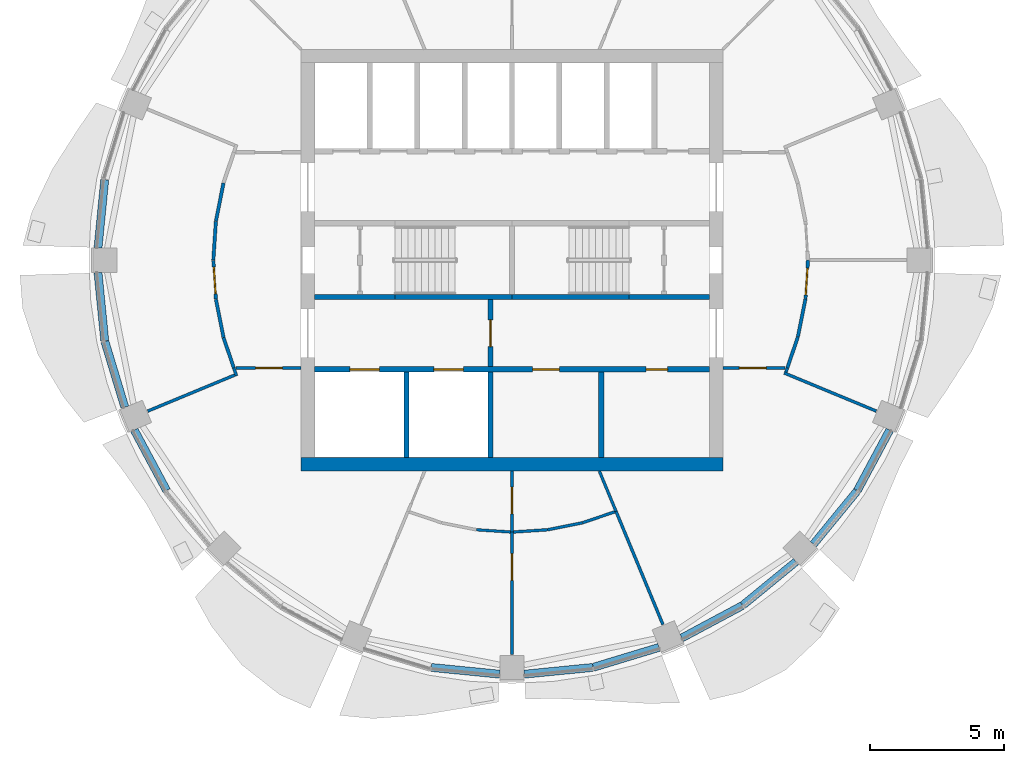
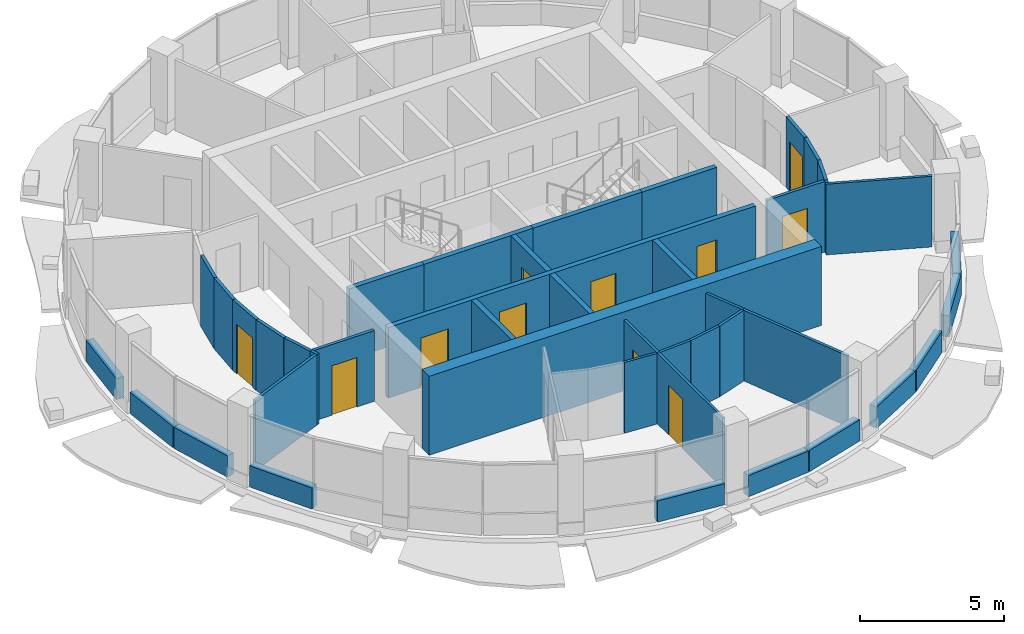
# One storey, part 7 of 14: 43 walls, 11 doors, 11 openings.
"""IFC4 building model written with IfcOpenShell, lengths in metres."""

from ifc_helpers import new_model, si_unit, direction, frame, frame_2d, origin, place, context, subcontext, project, spatial, rectangle, extrude, material, layer, layer_set, type_object, element, fill, save


model = new_model("IFC4")

# Units and contexts
model_context = context("Model", 3, precision=1e-05, world=origin(), true_north=direction((0.0, 1.0)))
body_context = subcontext(model_context, "Body", "Model", "MODEL_VIEW")
ifc_project = project(units=[si_unit("LENGTHUNIT", "METRE"), si_unit("AREAUNIT", "SQUARE_METRE"), si_unit("VOLUMEUNIT", "CUBIC_METRE"), si_unit("PLANEANGLEUNIT", "RADIAN"), si_unit("MASSUNIT", "GRAM", prefix="KILO")], contexts=[model_context])

# Site, building, storey
site_placement = place(None, origin())
site = spatial("IfcSite", under=ifc_project, at=site_placement, CompositionType="ELEMENT")
building_placement = place(site_placement, origin())
building = spatial("IfcBuilding", under=site, at=building_placement, Name="Polderwave Tower", CompositionType="ELEMENT")
storey_placement = place(building_placement, frame((0.0, 0.0, 217.800048828125)))
storey = spatial("IfcBuildingStorey", under=building, at=storey_placement, Name="L59", CompositionType="ELEMENT", Elevation=217.800048828125)

# Walls
ifc_material_1 = material(Name="Concrete C60/75", Category="concrete")
ifc_layer_1 = layer(ifc_material_1, 0.5)
ifc_layer_set_1 = layer_set([ifc_layer_1], Name="CORE WALL 500 C60/75")
wall_type_1 = type_object("IfcWallType", Name="CORE WALL 500 C60/75", PredefinedType="SHEAR", material=ifc_layer_set_1)
wall_1_placement = place(storey_placement, frame((-7.8740234375, -7.6240234375, 0.0), z_axis=(0.0, 0.0, 1.0), x_axis=(1.0, 0.0, 0.0)))
element("IfcWall", 1, at=wall_1_placement, inside=storey, type_object=wall_type_1, Name="ST-CORE-L59-S", PredefinedType="SHEAR", context=body_context, shape_type="SweptSolid", body=[
    extrude(rectangle(XDim=15.748046875, YDim=0.5, at=frame_2d((7.8740234375, 0.0))), origin(), (0.0, 0.0, 1.0), 3.349853515625),
])
ifc_material_2 = material(Name="Concrete C50/60 (board-marked)", Category="concrete")
ifc_layer_2 = layer(ifc_material_2, 0.300048828125)
ifc_layer_set_2 = layer_set([ifc_layer_2], Name="Concrete spandrel upstand C50/60")
wall_type_2 = type_object("IfcWallType", Name="Concrete spandrel upstand C50/60", PredefinedType="SOLIDWALL", material=ifc_layer_set_2)
for number, where, z_axis, x_axis, name in (
    (2, (-15.20361328125, 3.009033203125, 0.0), (0.0, 0.0, 1.0), (-0.09813315545, -0.995173293352, 0.0), "Spandrel L59 8b"),
    (3, (-15.45458984375, -0.4638671875, 0.0), (0.0, 0.0, 1.0), (0.09813315545, -0.995173293352, 0.0), "Spandrel L59 9a"),
):
    element("IfcWall", number, at=place(storey_placement, frame(where, z_axis=z_axis, x_axis=x_axis)), inside=storey, type_object=wall_type_2, Name=name, PredefinedType="SOLIDWALL", context=body_context, shape_type="SweptSolid", body=[
        extrude(rectangle(XDim=2.5576171875, YDim=0.300048828125, at=frame_2d((1.27880859375, 0.0))), origin(), (0.0, 0.0, 1.0), 0.89990234375),
    ])
wall_2_placement = place(storey_placement, frame((-15.197509765625, -3.038330078125, 0.0), z_axis=(0.0, 0.0, 1.0), x_axis=(0.290219358397, -0.956960147557, 0.0)))
element("IfcWall", 4, at=wall_2_placement, inside=storey, type_object=wall_type_2, Name="Spandrel L59 9b", PredefinedType="SOLIDWALL", context=body_context, shape_type="SweptSolid", body=[
    extrude(rectangle(XDim=2.557373046875, YDim=0.300048828125, at=frame_2d((1.27880859375, 0.0))), origin(), (0.0, 0.0, 1.0), 0.89990234375),
])
wall_3_placement = place(storey_placement, frame((-14.099853515625, -6.34326171875, 0.0), z_axis=(0.0, 0.0, 1.0), x_axis=(0.471603904468, -0.881810499649, 0.0)))
element("IfcWall", 5, at=wall_3_placement, inside=storey, type_object=wall_type_2, Name="Spandrel L59 10a", PredefinedType="SOLIDWALL", context=body_context, shape_type="SweptSolid", body=[
    extrude(rectangle(XDim=2.556884765625, YDim=0.300048828125, at=frame_2d((1.2783203125, 0.0))), origin(), (0.0, 0.0, 1.0), 0.89990234375),
])
for number, where, z_axis, x_axis, name in (
    (6, (-3.009033203125, -15.20361328125, 0.0), (0.0, 0.0, 1.0), (0.995173293352, -0.09813315545, 0.0), "Spandrel L59 12b"),
    (7, (0.4638671875, -15.45458984375, 0.0), (0.0, 0.0, 1.0), (0.995173293352, 0.09813315545, 0.0), "Spandrel L59 13a"),
):
    element("IfcWall", number, at=place(storey_placement, frame(where, z_axis=z_axis, x_axis=x_axis)), inside=storey, type_object=wall_type_2, Name=name, PredefinedType="SOLIDWALL", context=body_context, shape_type="SweptSolid", body=[
        extrude(rectangle(XDim=2.5576171875, YDim=0.300048828125, at=frame_2d((1.27880859375, 0.0))), origin(), (0.0, 0.0, 1.0), 0.89990234375),
    ])
wall_4_placement = place(storey_placement, frame((3.038330078125, -15.197509765625, 0.0), z_axis=(0.0, 0.0, 1.0), x_axis=(0.956960147557, 0.290219358397, 0.0)))
element("IfcWall", 8, at=wall_4_placement, inside=storey, type_object=wall_type_2, Name="Spandrel L59 13b", PredefinedType="SOLIDWALL", context=body_context, shape_type="SweptSolid", body=[
    extrude(rectangle(XDim=2.557373046875, YDim=0.300048828125, at=frame_2d((1.27880859375, 0.0))), origin(), (0.0, 0.0, 1.0), 0.89990234375),
])
wall_5_placement = place(storey_placement, frame((6.34326171875, -14.099853515625, 0.0), z_axis=(0.0, 0.0, 1.0), x_axis=(0.881810499649, 0.471603904468, 0.0)))
element("IfcWall", 9, at=wall_5_placement, inside=storey, type_object=wall_type_2, Name="Spandrel L59 14a", PredefinedType="SOLIDWALL", context=body_context, shape_type="SweptSolid", body=[
    extrude(rectangle(XDim=2.556884765625, YDim=0.300048828125, at=frame_2d((1.2783203125, 0.0))), origin(), (0.0, 0.0, 1.0), 0.89990234375),
])
for number, where, z_axis, x_axis, name in (
    (10, (8.62255859375, -12.87744140625, 0.0), (0.0, 0.0, 1.0), (0.773259366149, 0.634089861662, 0.0), "Spandrel L59 14b"),
    (11, (11.255615234375, -10.600341796875, 0.0), (0.0, 0.0, 1.0), (0.634089861662, 0.773259366149, 0.0), "Spandrel L59 15a"),
):
    element("IfcWall", number, at=place(storey_placement, frame(where, z_axis=z_axis, x_axis=x_axis)), inside=storey, type_object=wall_type_2, Name=name, PredefinedType="SOLIDWALL", context=body_context, shape_type="SweptSolid", body=[
        extrude(rectangle(XDim=2.5576171875, YDim=0.300048828125, at=frame_2d((1.27880859375, 0.0))), origin(), (0.0, 0.0, 1.0), 0.89990234375),
    ])
wall_6_placement = place(storey_placement, frame((12.89404296875, -8.597900390625, 0.0), z_axis=(0.0, 0.0, 1.0), x_axis=(0.471603904468, 0.881810499649, 0.0)))
element("IfcWall", 12, at=wall_6_placement, inside=storey, type_object=wall_type_2, Name="Spandrel L59 15b", PredefinedType="SOLIDWALL", context=body_context, shape_type="SweptSolid", body=[
    extrude(rectangle(XDim=2.556884765625, YDim=0.300048828125, at=frame_2d((1.2783203125, 0.0))), origin(), (0.0, 0.0, 1.0), 0.89990234375),
])

# Wall, opening, door
ifc_material_3 = material(Name="Gypsum board partition")
ifc_layer_3 = layer(ifc_material_3, 0.199951171875)
ifc_layer_set_3 = layer_set([ifc_layer_3], Name="Core room partition 200")
wall_type_3 = type_object("IfcWallType", Name="Core room partition 200", PredefinedType="PARTITIONING", material=ifc_layer_set_3)
wall_7_placement = place(storey_placement, frame((-0.800048828125, -3.97412109375, 0.0), z_axis=(0.0, 0.0, 1.0), x_axis=(0.0, 1.0, 0.0)))
wall_7 = element("IfcWall", 13, at=wall_7_placement, inside=storey, type_object=wall_type_3, Name="L59 fire-fighting lobby wall", PredefinedType="PARTITIONING", context=body_context, shape_type="SweptSolid", body=[
    extrude(rectangle(XDim=2.4990234375, YDim=0.199951171875, at=frame_2d((1.24951171875, 0.0))), origin(), (0.0, 0.0, 1.0), 3.0),
])
opening_1_placement = place(wall_7_placement, frame((0.74951171875, 0.0, 0.0)))
opening_1 = element("IfcOpeningElement", 14, at=opening_1_placement, cuts=wall_7, Name="Opening L59-D14", PredefinedType="OPENING", context=body_context, shape_type="SweptSolid", body=[
    extrude(rectangle(XDim=1.0, YDim=2.10009765625, at=frame_2d((0.5, 1.050048828125))), frame((0.0, 0.10986328125, 0.0), z_axis=(0.0, -1.0, 0.0), x_axis=(1.0, 0.0, 0.0)), (0.0, 0.0, 1.0), 0.219970703125),
])
ifc_material_4 = material(Name="Steel fire door", Category="steel")
door_type_1 = type_object("IfcDoorType", Name="Lobby fire door 1000", OperationType="NOTDEFINED", PredefinedType="DOOR", material=ifc_material_4)
door_1_placement = place(opening_1_placement, frame((1.0, 0.0, 0.0), z_axis=(0.0, 0.0, 1.0), x_axis=(-1.0, 0.0, 0.0)))
door_1 = element("IfcDoor", 15, at=door_1_placement, inside=storey, type_object=door_type_1, Name="Fire-fighting lobby door", OperationType="SINGLE_SWING_LEFT", OverallHeight=2.10009765625, OverallWidth=1.0, PredefinedType="DOOR", context=body_context, shape_type="SweptSolid", body=[
    extrude(rectangle(XDim=1.0, YDim=2.10009765625, at=frame_2d((0.5, 1.050048828125))), frame((0.0, 0.02490234375, 0.0), z_axis=(0.0, -1.0, 0.0), x_axis=(1.0, 0.0, 0.0)), (0.0, 0.0, 1.0), 0.050048828125),
])
fill(opening_1, door_1)

# Wall
wall_8_placement = place(storey_placement, frame((3.3369140625, -7.3740234375, 0.0), z_axis=(0.0, 0.0, 1.0), x_axis=(0.0, 1.0, 0.0)))
element("IfcWall", 16, at=wall_8_placement, inside=storey, type_object=wall_type_3, Name="L59 room partition S1", PredefinedType="PARTITIONING", context=body_context, shape_type="SweptSolid", body=[
    extrude(rectangle(XDim=3.199951171875, YDim=0.199951171875, at=frame_2d((1.60009765625, 0.0))), origin(), (0.0, 0.0, 1.0), 3.0),
])

# Wall, openings, doors
ifc_material_5 = material(Name="Concrete C50/60", Category="concrete")
ifc_layer_4 = layer(ifc_material_5, 0.199951171875)
ifc_layer_set_4 = layer_set([ifc_layer_4], Name="Core web wall 200")
wall_type_4 = type_object("IfcWallType", Name="Core web wall 200", PredefinedType="SHEAR", material=ifc_layer_set_4)
wall_9_placement = place(storey_placement, frame((-7.3740234375, -4.073974609375, 0.0), z_axis=(0.0, 0.0, 1.0), x_axis=(1.0, 0.0, 0.0)))
wall_9 = element("IfcWall", 17, at=wall_9_placement, inside=storey, type_object=wall_type_4, Name="L59 south front wall", PredefinedType="SHEAR", context=body_context, shape_type="SweptSolid", body=[
    extrude(rectangle(XDim=14.748046875, YDim=0.199951171875, at=frame_2d((7.3740234375, 0.0))), origin(), (0.0, 0.0, 1.0), 3.0),
])
opening_2_placement = place(wall_9_placement, frame((1.318603515625, 0.0, 0.0)))
opening_2 = element("IfcOpeningElement", 18, at=opening_2_placement, cuts=wall_9, Name="Opening L59-D01", PredefinedType="OPENING", context=body_context, shape_type="SweptSolid", body=[
    extrude(rectangle(XDim=1.10009765625, YDim=2.10009765625, at=frame_2d((0.550048828125, 1.050048828125))), frame((0.0, 0.10986328125, 0.0), z_axis=(0.0, -1.0, 0.0), x_axis=(1.0, 0.0, 0.0)), (0.0, 0.0, 1.0), 0.219970703125),
])
opening_3_placement = place(wall_9_placement, frame((4.45556640625, 0.0, 0.0)))
opening_3 = element("IfcOpeningElement", 19, at=opening_3_placement, cuts=wall_9, Name="Opening L59-D02", PredefinedType="OPENING", context=body_context, shape_type="SweptSolid", body=[
    extrude(rectangle(XDim=1.10009765625, YDim=2.10009765625, at=frame_2d((0.550048828125, 1.050048828125))), frame((0.0, 0.10986328125, 0.0), z_axis=(0.0, -1.0, 0.0), x_axis=(1.0, 0.0, 0.0)), (0.0, 0.0, 1.0), 0.219970703125),
])
opening_4_placement = place(wall_9_placement, frame((8.142578125, 0.0, 0.0)))
opening_4 = element("IfcOpeningElement", 20, at=opening_4_placement, cuts=wall_9, Name="Opening L59-D15", PredefinedType="OPENING", context=body_context, shape_type="SweptSolid", body=[
    extrude(rectangle(XDim=1.0, YDim=2.10009765625, at=frame_2d((0.5, 1.050048828125))), frame((0.0, 0.10986328125, 0.0), z_axis=(0.0, -1.0, 0.0), x_axis=(1.0, 0.0, 0.0)), (0.0, 0.0, 1.0), 0.219970703125),
])
opening_5_placement = place(wall_9_placement, frame((12.37939453125, 0.0, 0.0)))
opening_5 = element("IfcOpeningElement", 21, at=opening_5_placement, cuts=wall_9, Name="Opening L59-D16", PredefinedType="OPENING", context=body_context, shape_type="SweptSolid", body=[
    extrude(rectangle(XDim=0.800048828125, YDim=2.10009765625, at=frame_2d((0.39990234375, 1.050048828125))), frame((0.0, 0.10986328125, 0.0), z_axis=(0.0, -1.0, 0.0), x_axis=(1.0, 0.0, 0.0)), (0.0, 0.0, 1.0), 0.219970703125),
])
ifc_material_6 = material(Name="Stainless steel", Category="steel")
door_type_2 = type_object("IfcDoorType", Name="Fire-fighting lift landing door 1100", OperationType="DOUBLE_DOOR_SLIDING", PredefinedType="DOOR", material=ifc_material_6)
door_2_placement = place(opening_2_placement, origin())
door_2 = element("IfcDoor", 22, at=door_2_placement, inside=storey, type_object=door_type_2, Name="Fire-fighting lift FF1 landing door", OperationType="DOUBLE_DOOR_SLIDING", OverallHeight=2.10009765625, OverallWidth=1.10009765625, PredefinedType="DOOR", context=body_context, shape_type="SweptSolid", body=[
    extrude(rectangle(XDim=1.10009765625, YDim=2.10009765625, at=frame_2d((0.550048828125, 1.050048828125))), frame((0.0, 0.02490234375, 0.0), z_axis=(0.0, -1.0, 0.0), x_axis=(1.0, 0.0, 0.0)), (0.0, 0.0, 1.0), 0.050048828125),
])
fill(opening_2, door_2)
door_3_placement = place(opening_3_placement, origin())
door_3 = element("IfcDoor", 23, at=door_3_placement, inside=storey, type_object=door_type_2, Name="Fire-fighting lift FF2 landing door", OperationType="DOUBLE_DOOR_SLIDING", OverallHeight=2.10009765625, OverallWidth=1.10009765625, PredefinedType="DOOR", context=body_context, shape_type="SweptSolid", body=[
    extrude(rectangle(XDim=1.10009765625, YDim=2.10009765625, at=frame_2d((0.550048828125, 1.050048828125))), frame((0.0, 0.02490234375, 0.0), z_axis=(0.0, -1.0, 0.0), x_axis=(1.0, 0.0, 0.0)), (0.0, 0.0, 1.0), 0.050048828125),
])
fill(opening_3, door_3)
door_type_3 = type_object("IfcDoorType", Name="Riser door 800", OperationType="NOTDEFINED", PredefinedType="DOOR", material=ifc_material_4)
door_4_placement = place(opening_5_placement, origin())
door_4 = element("IfcDoor", 24, at=door_4_placement, inside=storey, type_object=door_type_3, Name="Switch room door", OperationType="SINGLE_SWING_RIGHT", OverallHeight=2.10009765625, OverallWidth=0.800048828125, PredefinedType="DOOR", context=body_context, shape_type="SweptSolid", body=[
    extrude(rectangle(XDim=0.800048828125, YDim=2.10009765625, at=frame_2d((0.39990234375, 1.050048828125))), frame((0.0, 0.02490234375, 0.0), z_axis=(0.0, -1.0, 0.0), x_axis=(1.0, 0.0, 0.0)), (0.0, 0.0, 1.0), 0.050048828125),
])
fill(opening_5, door_4)
ifc_material_7 = material(Name="Timber door leaf", Category="wood")
door_type_4 = type_object("IfcDoorType", Name="Room door 1000", OperationType="NOTDEFINED", PredefinedType="DOOR", material=ifc_material_7)
door_5_placement = place(opening_4_placement, origin())
door_5 = element("IfcDoor", 25, at=door_5_placement, inside=storey, type_object=door_type_4, Name="Plant room door", OperationType="SINGLE_SWING_RIGHT", OverallHeight=2.10009765625, OverallWidth=1.0, PredefinedType="DOOR", context=body_context, shape_type="SweptSolid", body=[
    extrude(rectangle(XDim=1.0, YDim=2.10009765625, at=frame_2d((0.5, 1.050048828125))), frame((0.0, 0.02490234375, 0.0), z_axis=(0.0, -1.0, 0.0), x_axis=(1.0, 0.0, 0.0)), (0.0, 0.0, 1.0), 0.050048828125),
])
fill(opening_4, door_5)

# Walls
wall_10_placement = place(storey_placement, frame((-7.3740234375, -1.375, 0.0), z_axis=(0.0, 0.0, 1.0), x_axis=(1.0, 0.0, 0.0)))
element("IfcWall", 26, at=wall_10_placement, inside=storey, type_object=wall_type_4, Name="L59 south stair wall 1", PredefinedType="SHEAR", context=body_context, shape_type="SweptSolid", body=[
    extrude(rectangle(XDim=3.0, YDim=0.199951171875, at=frame_2d((1.5, 0.0))), origin(), (0.0, 0.0, 1.0), 3.0),
])
for number, where, z_axis, x_axis, name in (
    (27, (-4.3740234375, -1.375, 0.0), (0.0, 0.0, 1.0), (1.0, 0.0, 0.0), "L59 south stair wall 2"),
    (28, (0.0, -1.375, 0.0), (0.0, 0.0, 1.0), (1.0, 0.0, 0.0), "L59 south stair wall 3"),
):
    element("IfcWall", number, at=place(storey_placement, frame(where, z_axis=z_axis, x_axis=x_axis)), inside=storey, type_object=wall_type_4, Name=name, PredefinedType="SHEAR", context=body_context, shape_type="SweptSolid", body=[
        extrude(rectangle(XDim=4.3740234375, YDim=0.199951171875, at=frame_2d((2.18701171875, 0.0))), origin(), (0.0, 0.0, 1.0), 3.0),
    ])
wall_11_placement = place(storey_placement, frame((4.3740234375, -1.375, 0.0), z_axis=(0.0, 0.0, 1.0), x_axis=(1.0, 0.0, 0.0)))
element("IfcWall", 29, at=wall_11_placement, inside=storey, type_object=wall_type_4, Name="L59 south stair wall 4", PredefinedType="SHEAR", context=body_context, shape_type="SweptSolid", body=[
    extrude(rectangle(XDim=3.0, YDim=0.199951171875, at=frame_2d((1.5, 0.0))), origin(), (0.0, 0.0, 1.0), 3.0),
])

# Wall, opening, door
ifc_material_8 = material(Name="Fire-resisting board on steel studs", Category="steel")
ifc_layer_5 = layer(ifc_material_8, 0.125)
ifc_layer_set_5 = layer_set([ifc_layer_5], Name="Corridor wall 125 mm EI 60")
wall_type_5 = type_object("IfcWallType", Name="Corridor wall 125 mm EI 60", PredefinedType="PARTITIONING", material=ifc_layer_set_5)
wall_12_placement = place(storey_placement, frame((10.19091796875, -4.0244140625, 0.0), z_axis=(0.0, 0.0, 1.0), x_axis=(-1.0, 0.0, 0.0)))
wall_12 = element("IfcWall", 30, at=wall_12_placement, inside=storey, type_object=wall_type_5, Name="IN-L59-W005", PredefinedType="PARTITIONING", context=body_context, shape_type="SweptSolid", body=[
    extrude(rectangle(XDim=2.31689453125, YDim=0.125, at=frame_2d((1.158447265625, 0.0))), origin(), (0.0, 0.0, 1.0), 3.0),
])
opening_6_placement = place(wall_12_placement, frame((0.699951171875, 0.0, 0.0)))
opening_6 = element("IfcOpeningElement", 31, at=opening_6_placement, cuts=wall_12, Name="Opening L59-D52", PredefinedType="OPENING", context=body_context, shape_type="SweptSolid", body=[
    extrude(rectangle(XDim=1.0, YDim=2.10009765625, at=frame_2d((0.5, 1.050048828125))), frame((0.0, 0.072509765625, 0.0), z_axis=(0.0, -1.0, 0.0), x_axis=(1.0, 0.0, 0.0)), (0.0, 0.0, 1.0), 0.14501953125),
])
ifc_material_9 = material(Name="Timber fire door leaf", Category="wood")
door_type_5 = type_object("IfcDoorType", Name="Fire door FD30S 1000 x 2100", OperationType="NOTDEFINED", PredefinedType="DOOR", material=ifc_material_9)
door_6_placement = place(opening_6_placement, origin())
door_6 = element("IfcDoor", 32, at=door_6_placement, inside=storey, type_object=door_type_5, Name="Door L59-D52", OperationType="SINGLE_SWING_RIGHT", OverallHeight=2.10009765625, OverallWidth=1.0, PredefinedType="DOOR", context=body_context, shape_type="SweptSolid", body=[
    extrude(rectangle(XDim=1.0, YDim=2.10009765625, at=frame_2d((0.5, 1.050048828125))), frame((0.0, 0.02490234375, 0.0), z_axis=(0.0, -1.0, 0.0), x_axis=(1.0, 0.0, 0.0)), (0.0, 0.0, 1.0), 0.050048828125),
])
fill(opening_6, door_6)

# Walls
wall_13_placement = place(storey_placement, frame((10.672119140625, -2.864013671875, 0.0), z_axis=(0.0, 0.0, 1.0), x_axis=(-0.321363343769, -0.946955965862, 0.0)))
element("IfcWall", 33, at=wall_13_placement, inside=storey, type_object=wall_type_5, Name="IN-L59-W006", PredefinedType="PARTITIONING", context=body_context, shape_type="SweptSolid", body=[
    extrude(rectangle(XDim=1.225341796875, YDim=0.125, at=frame_2d((0.61279296875, 0.0))), origin(), (0.0, 0.0, 1.0), 3.0),
])
wall_14_placement = place(storey_placement, frame((10.95458984375, -1.4462890625, 0.0), z_axis=(0.0, 0.0, 1.0), x_axis=(-0.195005351681, -0.980802178228, 0.0)))
element("IfcWall", 34, at=wall_14_placement, inside=storey, type_object=wall_type_5, Name="IN-L59-W007", PredefinedType="PARTITIONING", context=body_context, shape_type="SweptSolid", body=[
    extrude(rectangle(XDim=1.437255859375, YDim=0.125, at=frame_2d((0.71875, 0.0))), origin(), (0.0, 0.0, 1.0), 3.0),
])

# Wall, opening, door
wall_15_placement = place(storey_placement, frame((11.050048828125, 0.0, 0.0), z_axis=(0.0, 0.0, 1.0), x_axis=(-0.065383473363, -0.997860211358, 0.0)))
wall_15 = element("IfcWall", 35, at=wall_15_placement, inside=storey, type_object=wall_type_5, Name="IN-L59-W008", PredefinedType="PARTITIONING", context=body_context, shape_type="SweptSolid", body=[
    extrude(rectangle(XDim=1.44140625, YDim=0.125, at=frame_2d((0.720703125, 0.0))), origin(), (0.0, 0.0, 1.0), 3.0),
])
opening_7_placement = place(wall_15_placement, frame((0.300048828125, 0.0, 0.0)))
opening_7 = element("IfcOpeningElement", 36, at=opening_7_placement, cuts=wall_15, Name="Opening L59-D53", PredefinedType="OPENING", context=body_context, shape_type="SweptSolid", body=[
    extrude(rectangle(XDim=1.0, YDim=2.10009765625, at=frame_2d((0.5, 1.050048828125))), frame((0.0, 0.072509765625, 0.0), z_axis=(0.0, -1.0, 0.0), x_axis=(1.0, 0.0, 0.0)), (0.0, 0.0, 1.0), 0.14501953125),
])
door_7_placement = place(opening_7_placement, origin())
door_7 = element("IfcDoor", 37, at=door_7_placement, inside=storey, type_object=door_type_5, Name="Door L59-D53", OperationType="SINGLE_SWING_RIGHT", OverallHeight=2.10009765625, OverallWidth=1.0, PredefinedType="DOOR", context=body_context, shape_type="SweptSolid", body=[
    extrude(rectangle(XDim=1.0, YDim=2.10009765625, at=frame_2d((0.5, 1.050048828125))), frame((0.0, 0.02490234375, 0.0), z_axis=(0.0, -1.0, 0.0), x_axis=(1.0, 0.0, 0.0)), (0.0, 0.0, 1.0), 0.050048828125),
])
fill(opening_7, door_7)

# Wall
wall_16_placement = place(storey_placement, frame((-11.149658203125, 0.004150390625, 0.0), z_axis=(0.0, 0.0, 1.0), x_axis=(0.065312343013, 0.997864869534, 0.0)))
element("IfcWall", 38, at=wall_16_placement, inside=storey, type_object=wall_type_5, Name="IN-L59-W010", PredefinedType="PARTITIONING", context=body_context, shape_type="SweptSolid", body=[
    extrude(rectangle(XDim=1.450439453125, YDim=0.125, at=frame_2d((0.72509765625, 0.0))), origin(), (0.0, 0.0, 1.0), 3.0),
])

# Wall, opening, door
wall_17_placement = place(storey_placement, frame((-11.054931640625, -1.451416015625, 0.0), z_axis=(0.0, 0.0, 1.0), x_axis=(-0.065312343013, 0.997864869534, 0.0)))
wall_17 = element("IfcWall", 39, at=wall_17_placement, inside=storey, type_object=wall_type_5, Name="IN-L59-W011", PredefinedType="PARTITIONING", context=body_context, shape_type="SweptSolid", body=[
    extrude(rectangle(XDim=1.450439453125, YDim=0.125, at=frame_2d((0.72509765625, 0.0))), origin(), (0.0, 0.0, 1.0), 3.0),
])
opening_8_placement = place(wall_17_placement, frame((0.199951171875, 0.0, 0.0)))
opening_8 = element("IfcOpeningElement", 40, at=opening_8_placement, cuts=wall_17, Name="Opening L59-D55", PredefinedType="OPENING", context=body_context, shape_type="SweptSolid", body=[
    extrude(rectangle(XDim=1.0, YDim=2.10009765625, at=frame_2d((0.5, 1.050048828125))), frame((0.0, 0.072509765625, 0.0), z_axis=(0.0, -1.0, 0.0), x_axis=(1.0, 0.0, 0.0)), (0.0, 0.0, 1.0), 0.14501953125),
])
door_8_placement = place(opening_8_placement, origin())
door_8 = element("IfcDoor", 41, at=door_8_placement, inside=storey, type_object=door_type_5, Name="Door L59-D55", OperationType="SINGLE_SWING_LEFT", OverallHeight=2.10009765625, OverallWidth=1.0, PredefinedType="DOOR", context=body_context, shape_type="SweptSolid", body=[
    extrude(rectangle(XDim=1.0, YDim=2.10009765625, at=frame_2d((0.5, 1.050048828125))), frame((0.0, 0.02490234375, 0.0), z_axis=(0.0, -1.0, 0.0), x_axis=(1.0, 0.0, 0.0)), (0.0, 0.0, 1.0), 0.050048828125),
])
fill(opening_8, door_8)

# Walls
for number, where, z_axis, x_axis, name in (
    (42, (-11.0537109375, 1.45947265625, 0.0), (0.0, 0.0, 1.0), (0.194950489496, 0.980813084459, 0.0), "IN-L59-W012"),
    (43, (-10.77099609375, -2.8818359375, 0.0), (0.0, 0.0, 1.0), (-0.194950489496, 0.980813084459, 0.0), "IN-L59-W013"),
):
    element("IfcWall", number, at=place(storey_placement, frame(where, z_axis=z_axis, x_axis=x_axis)), inside=storey, type_object=wall_type_5, Name=name, PredefinedType="PARTITIONING", context=body_context, shape_type="SweptSolid", body=[
        extrude(rectangle(XDim=1.4501953125, YDim=0.125, at=frame_2d((0.72509765625, 0.0))), origin(), (0.0, 0.0, 1.0), 3.0),
    ])
wall_18_placement = place(storey_placement, frame((-10.383544921875, -4.0244140625, 0.0), z_axis=(0.0, 0.0, 1.0), x_axis=(-0.321479033524, 0.946916696972, 0.0)))
element("IfcWall", 44, at=wall_18_placement, inside=storey, type_object=wall_type_5, Name="IN-L59-W015", PredefinedType="PARTITIONING", context=body_context, shape_type="SweptSolid", body=[
    extrude(rectangle(XDim=1.198486328125, YDim=0.125, at=frame_2d((0.59912109375, 0.0))), origin(), (0.0, 0.0, 1.0), 3.0),
])

# Wall, opening, door
wall_19_placement = place(storey_placement, frame((-7.8740234375, -4.0244140625, 0.0), z_axis=(0.0, 0.0, 1.0), x_axis=(-1.0, 0.0, 0.0)))
wall_19 = element("IfcWall", 45, at=wall_19_placement, inside=storey, type_object=wall_type_5, Name="IN-L59-W016", PredefinedType="PARTITIONING", context=body_context, shape_type="SweptSolid", body=[
    extrude(rectangle(XDim=2.42236328125, YDim=0.125, at=frame_2d((1.211181640625, 0.0))), origin(), (0.0, 0.0, 1.0), 3.0),
])
opening_9_placement = place(wall_19_placement, frame((0.699951171875, 0.0, 0.0)))
opening_9 = element("IfcOpeningElement", 46, at=opening_9_placement, cuts=wall_19, Name="Opening L59-D56", PredefinedType="OPENING", context=body_context, shape_type="SweptSolid", body=[
    extrude(rectangle(XDim=1.0, YDim=2.10009765625, at=frame_2d((0.5, 1.050048828125))), frame((0.0, 0.072509765625, 0.0), z_axis=(0.0, -1.0, 0.0), x_axis=(1.0, 0.0, 0.0)), (0.0, 0.0, 1.0), 0.14501953125),
])
door_9_placement = place(opening_9_placement, origin())
door_9 = element("IfcDoor", 47, at=door_9_placement, inside=storey, type_object=door_type_5, Name="Door L59-D56", OperationType="SINGLE_SWING_LEFT", OverallHeight=2.10009765625, OverallWidth=1.0, PredefinedType="DOOR", context=body_context, shape_type="SweptSolid", body=[
    extrude(rectangle(XDim=1.0, YDim=2.10009765625, at=frame_2d((0.5, 1.050048828125))), frame((0.0, 0.02490234375, 0.0), z_axis=(0.0, -1.0, 0.0), x_axis=(1.0, 0.0, 0.0)), (0.0, 0.0, 1.0), 0.050048828125),
])
fill(opening_9, door_9)

# Wall
ifc_material_10 = material(Name="Plasterboard on steel studs", Category="steel")
ifc_layer_6 = layer(ifc_material_10, 0.10009765625)
ifc_layer_set_6 = layer_set([ifc_layer_6], Name="Partition 100 mm plasterboard on steel studs")
wall_type_6 = type_object("IfcWallType", Name="Partition 100 mm plasterboard on steel studs", PredefinedType="PARTITIONING", material=ifc_layer_set_6)
wall_20_placement = place(storey_placement, frame((-0.055908203125, -10.146240234375, 0.0), z_axis=(0.0, 0.0, 1.0), x_axis=(-0.997868677089, 0.065254143814, 0.0)))
element("IfcWall", 48, at=wall_20_placement, inside=storey, type_object=wall_type_6, Name="IN-L59-W042", PredefinedType="PARTITIONING", context=body_context, shape_type="SweptSolid", body=[
    extrude(rectangle(XDim=1.268310546875, YDim=0.10009765625, at=frame_2d((0.63427734375, 0.0))), origin(), (0.0, 0.0, 1.0), 3.0),
])

# Wall, opening, door
wall_21_placement = place(storey_placement, frame((0.0, -10.14990234375, 0.0), z_axis=(0.0, 0.0, 1.0), x_axis=(0.0, -1.0, 0.0)))
wall_21 = element("IfcWall", 49, at=wall_21_placement, inside=storey, type_object=wall_type_6, Name="IN-L59-W044", PredefinedType="PARTITIONING", context=body_context, shape_type="SweptSolid", body=[
    extrude(rectangle(XDim=4.570068359375, YDim=0.10009765625, at=frame_2d((2.28515625, 0.0))), origin(), (0.0, 0.0, 1.0), 3.0),
])
opening_10_placement = place(wall_21_placement, frame((0.800048828125, 0.0, 0.0)))
opening_10 = element("IfcOpeningElement", 50, at=opening_10_placement, cuts=wall_21, Name="Opening L59-D66", PredefinedType="OPENING", context=body_context, shape_type="SweptSolid", body=[
    extrude(rectangle(XDim=1.0, YDim=2.10009765625, at=frame_2d((0.5, 1.050048828125))), frame((0.0, 0.06005859375, 0.0), z_axis=(0.0, -1.0, 0.0), x_axis=(1.0, 0.0, 0.0)), (0.0, 0.0, 1.0), 0.1201171875),
])
ifc_material_11 = material(Name="Timber veneer door leaf", Category="wood")
door_type_6 = type_object("IfcDoorType", Name="Single door 1000 x 2100", OperationType="NOTDEFINED", PredefinedType="DOOR", material=ifc_material_11)
door_10_placement = place(opening_10_placement, origin())
door_10 = element("IfcDoor", 51, at=door_10_placement, inside=storey, type_object=door_type_6, Name="Door L59-D66", OperationType="SINGLE_SWING_LEFT", OverallHeight=2.10009765625, OverallWidth=1.0, PredefinedType="DOOR", context=body_context, shape_type="SweptSolid", body=[
    extrude(rectangle(XDim=1.0, YDim=2.10009765625, at=frame_2d((0.5, 1.050048828125))), frame((0.0, 0.02490234375, 0.0), z_axis=(0.0, -1.0, 0.0), x_axis=(1.0, 0.0, 0.0)), (0.0, 0.0, 1.0), 0.050048828125),
])
fill(opening_10, door_10)

ifc_material_12 = material(Name="Moisture-resistant board on steel studs, tiled", Category="steel")
ifc_layer_7 = layer(ifc_material_12, 0.10498046875)
ifc_layer_set_7 = layer_set([ifc_layer_7], Name="Partition 105 mm wet room board and tile")
wall_type_7 = type_object("IfcWallType", Name="Partition 105 mm wet room board and tile", PredefinedType="PARTITIONING", material=ifc_layer_set_7)
wall_22_placement = place(storey_placement, frame((0.0, -7.8740234375, 0.0), z_axis=(0.0, 0.0, 1.0), x_axis=(0.0, -1.0, 0.0)))
wall_22 = element("IfcWall", 52, at=wall_22_placement, inside=storey, type_object=wall_type_7, Name="IN-L59-W043", PredefinedType="PARTITIONING", context=body_context, shape_type="SweptSolid", body=[
    extrude(rectangle(XDim=2.27587890625, YDim=0.10498046875, at=frame_2d((1.137939453125, 0.0))), origin(), (0.0, 0.0, 1.0), 3.0),
])
opening_11_placement = place(wall_22_placement, frame((0.60009765625, 0.0, 0.0)))
opening_11 = element("IfcOpeningElement", 53, at=opening_11_placement, cuts=wall_22, Name="Opening L59-D65", PredefinedType="OPENING", context=body_context, shape_type="SweptSolid", body=[
    extrude(rectangle(XDim=1.0, YDim=2.10009765625, at=frame_2d((0.5, 1.050048828125))), frame((0.0, 0.0625, 0.0), z_axis=(0.0, -1.0, 0.0), x_axis=(1.0, 0.0, 0.0)), (0.0, 0.0, 1.0), 0.125),
])
door_11_placement = place(opening_11_placement, origin())
door_11 = element("IfcDoor", 54, at=door_11_placement, inside=storey, type_object=door_type_6, Name="Door L59-D65", OperationType="SINGLE_SWING_LEFT", OverallHeight=2.10009765625, OverallWidth=1.0, PredefinedType="DOOR", context=body_context, shape_type="SweptSolid", body=[
    extrude(rectangle(XDim=1.0, YDim=2.10009765625, at=frame_2d((0.5, 1.050048828125))), frame((0.0, 0.02490234375, 0.0), z_axis=(0.0, -1.0, 0.0), x_axis=(1.0, 0.0, 0.0)), (0.0, 0.0, 1.0), 0.050048828125),
])
fill(opening_11, door_11)

# Walls
wall_23_placement = place(storey_placement, frame((1.3212890625, -10.0634765625, 0.0), z_axis=(0.0, 0.0, 1.0), x_axis=(-0.99786785721, -0.065266680223, 0.0)))
element("IfcWall", 55, at=wall_23_placement, inside=storey, type_object=wall_type_7, Name="IN-L59-W045", PredefinedType="PARTITIONING", context=body_context, shape_type="SweptSolid", body=[
    extrude(rectangle(XDim=1.26806640625, YDim=0.10498046875, at=frame_2d((0.634033203125, 0.0))), origin(), (0.0, 0.0, 1.0), 3.0),
])
wall_24_placement = place(storey_placement, frame((2.62353515625, -9.8046875, 0.0), z_axis=(0.0, 0.0, 1.0), x_axis=(-0.980765080918, -0.195191844223, 0.0)))
element("IfcWall", 56, at=wall_24_placement, inside=storey, type_object=wall_type_7, Name="IN-L59-W046", PredefinedType="PARTITIONING", context=body_context, shape_type="SweptSolid", body=[
    extrude(rectangle(XDim=1.32080078125, YDim=0.10498046875, at=frame_2d((0.660400390625, 0.0))), origin(), (0.0, 0.0, 1.0), 3.0),
])
wall_25_placement = place(storey_placement, frame((3.82861328125, -9.396240234375, 0.0), z_axis=(0.0, 0.0, 1.0), x_axis=(-0.946932566751, -0.321432285291, 0.0)))
element("IfcWall", 57, at=wall_25_placement, inside=storey, type_object=wall_type_7, Name="IN-L59-W047", PredefinedType="PARTITIONING", context=body_context, shape_type="SweptSolid", body=[
    extrude(rectangle(XDim=1.265380859375, YDim=0.10498046875, at=frame_2d((0.6328125, 0.0))), origin(), (0.0, 0.0, 1.0), 3.0),
])
wall_26_placement = place(storey_placement, frame((3.261474609375, -7.8740234375, 0.0), z_axis=(0.0, 0.0, 1.0), x_axis=(0.382718376354, -0.923865057463, 0.0)))
element("IfcWall", 58, at=wall_26_placement, inside=storey, type_object=wall_type_7, Name="IN-L59-W048", PredefinedType="PARTITIONING", context=body_context, shape_type="SweptSolid", body=[
    extrude(rectangle(XDim=1.627197265625, YDim=0.10498046875, at=frame_2d((0.8134765625, 0.0))), origin(), (0.0, 0.0, 1.0), 3.0),
])
ifc_material_13 = material(Name="Acoustic double plasterboard on steel studs", Category="steel")
ifc_layer_8 = layer(ifc_material_13, 0.110107421875)
ifc_layer_set_8 = layer_set([ifc_layer_8], Name="Partition 110 mm acoustic double board")
wall_type_8 = type_object("IfcWallType", Name="Partition 110 mm acoustic double board", PredefinedType="PARTITIONING", material=ifc_layer_set_8)
wall_27_placement = place(storey_placement, frame((-10.383544921875, -4.0244140625, 0.0), z_axis=(0.0, 0.0, 1.0), x_axis=(0.320931919594, -0.947102266382, 0.0)))
element("IfcWall", 59, at=wall_27_placement, inside=storey, type_object=wall_type_8, Name="IN-L59-W036", PredefinedType="PARTITIONING", context=body_context, shape_type="SweptSolid", body=[
    extrude(rectangle(XDim=0.31103515625, YDim=0.110107421875, at=frame_2d((0.155517578125, 0.0))), origin(), (0.0, 0.0, 1.0), 3.0),
])
wall_28_placement = place(storey_placement, frame((-10.355712890625, -4.289306640625, 0.0), z_axis=(0.0, 0.0, 1.0), x_axis=(-0.923871065891, -0.382703871955, 0.0)))
element("IfcWall", 60, at=wall_28_placement, inside=storey, type_object=wall_type_8, Name="IN-L59-W037", PredefinedType="PARTITIONING", context=body_context, shape_type="SweptSolid", body=[
    extrude(rectangle(XDim=3.51123046875, YDim=0.110107421875, at=frame_2d((1.755615234375, 0.0))), origin(), (0.0, 0.0, 1.0), 3.0),
])
wall_29_placement = place(storey_placement, frame((3.88427734375, -9.37744140625, 0.0), z_axis=(0.0, 0.0, 1.0), x_axis=(0.382664766489, -0.923887263949, 0.0)))
element("IfcWall", 61, at=wall_29_placement, inside=storey, type_object=wall_type_8, Name="IN-L59-W049", PredefinedType="PARTITIONING", context=body_context, shape_type="SweptSolid", body=[
    extrude(rectangle(XDim=4.570068359375, YDim=0.110107421875, at=frame_2d((2.28515625, 0.0))), origin(), (0.0, 0.0, 1.0), 3.0),
])
wall_30_placement = place(storey_placement, frame((10.158203125, -4.207763671875, 0.0), z_axis=(0.0, 0.0, 1.0), x_axis=(0.923897012701, -0.382641228728, 0.0)))
element("IfcWall", 62, at=wall_30_placement, inside=storey, type_object=wall_type_8, Name="IN-L59-W050", PredefinedType="PARTITIONING", context=body_context, shape_type="SweptSolid", body=[
    extrude(rectangle(XDim=3.724853515625, YDim=0.110107421875, at=frame_2d((1.8623046875, 0.0))), origin(), (0.0, 0.0, 1.0), 3.0),
])
wall_31_placement = place(storey_placement, frame((10.2783203125, -4.0244140625, 0.0), z_axis=(0.0, 0.0, 1.0), x_axis=(-0.321819116975, -0.94680117023, 0.0)))
element("IfcWall", 63, at=wall_31_placement, inside=storey, type_object=wall_type_8, Name="IN-L59-W051", PredefinedType="PARTITIONING", context=body_context, shape_type="SweptSolid", body=[
    extrude(rectangle(XDim=0.156982421875, YDim=0.110107421875, at=frame_2d((0.07861328125, 0.0))), origin(), (0.0, 0.0, 1.0), 3.0),
])
ifc_material_14 = material(Name="Gypsum shaft wall system")
ifc_layer_9 = layer(ifc_material_14, 0.199951171875)
ifc_layer_set_9 = layer_set([ifc_layer_9], Name="Shaft wall 200")
wall_type_9 = type_object("IfcWallType", Name="Shaft wall 200", PredefinedType="PARTITIONING", material=ifc_layer_set_9)
for number, where, z_axis, x_axis, name in (
    (64, (-3.93701171875, -7.3740234375, 0.0), (0.0, 0.0, 1.0), (0.0, 1.0, 0.0), "L59 fire-fighting shaft wall 1"),
    (65, (-0.800048828125, -7.3740234375, 0.0), (0.0, 0.0, 1.0), (0.0, 1.0, 0.0), "L59 fire-fighting shaft wall 2"),
):
    element("IfcWall", number, at=place(storey_placement, frame(where, z_axis=z_axis, x_axis=x_axis)), inside=storey, type_object=wall_type_9, Name=name, PredefinedType="PARTITIONING", context=body_context, shape_type="SweptSolid", body=[
        extrude(rectangle(XDim=3.199951171875, YDim=0.199951171875, at=frame_2d((1.60009765625, 0.0))), origin(), (0.0, 0.0, 1.0), 3.0),
    ])

save(model, "model.ifc")
